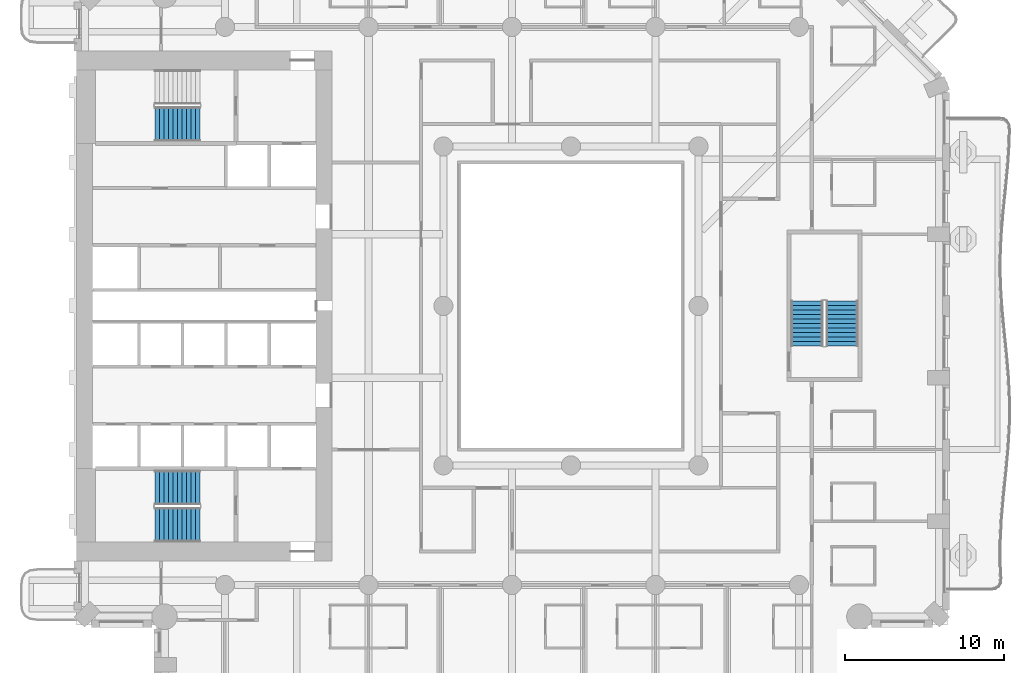
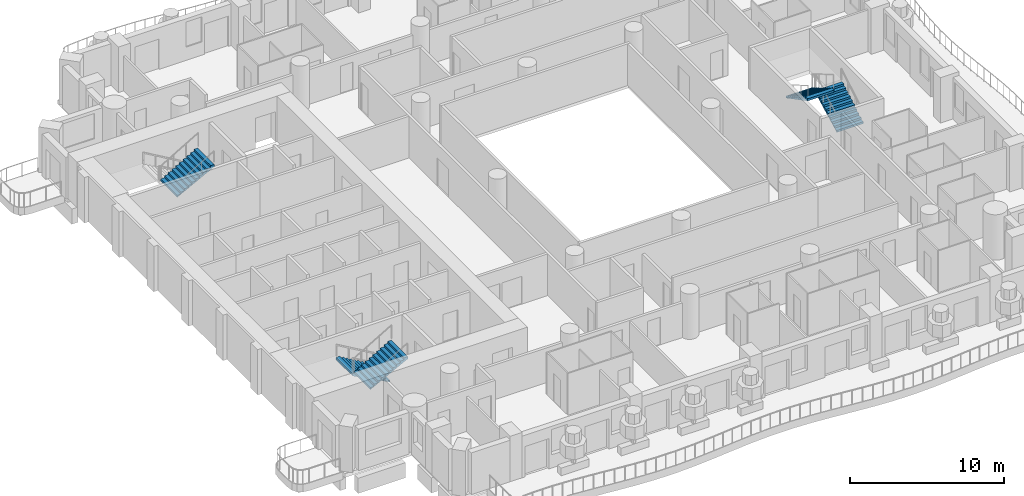
# One storey, part 11 of 20: 5 stair flights, 3 elements without a shape of their own.
"""IFC4 building model written with IfcOpenShell, lengths in metres."""

from ifc_helpers import new_model, si_unit, direction, frame, origin, place, context, subcontext, project, spatial, triangles, material, type_object, element, aggregate, save


model = new_model("IFC4")

# Units and contexts
model_context = context("Model", 3, precision=1e-05, world=origin(), true_north=direction((0.0, 1.0)))
body_context = subcontext(model_context, "Body", "Model", "MODEL_VIEW")
ifc_project = project(units=[si_unit("LENGTHUNIT", "METRE"), si_unit("AREAUNIT", "SQUARE_METRE"), si_unit("VOLUMEUNIT", "CUBIC_METRE"), si_unit("PLANEANGLEUNIT", "RADIAN"), si_unit("MASSUNIT", "GRAM", prefix="KILO")], contexts=[model_context])

# Site, building, storey
site_placement = place(None, origin())
site = spatial("IfcSite", under=ifc_project, at=site_placement, CompositionType="ELEMENT")
building_placement = place(site_placement, origin())
building = spatial("IfcBuilding", under=site, at=building_placement, Name="Cypress Arch Tower", CompositionType="ELEMENT")
storey_placement = place(building_placement, frame((0.0, 0.0, 62.699951171875)))
storey = spatial("IfcBuildingStorey", under=building, at=storey_placement, Name="L09", CompositionType="ELEMENT", Elevation=62.699951171875)

# Stair, stair flights
ifc_material_1 = material(Name="Concrete C40/50", Category="concrete")
stair_type_1 = type_object("IfcStairType", Name="Exit stair ES1636-200", PredefinedType="HALF_TURN_STAIR", material=ifc_material_1)
stair_1_placement = place(storey_placement, origin())
stair_1 = element("IfcStair", 1, at=stair_1_placement, inside=storey, type_object=stair_type_1, Name="L09 Exit stair C", PredefinedType="HALF_TURN_STAIR")
ifc_material_2 = material(Name="Concrete C40/50", Category="concrete")
stair_flight_type_1 = type_object("IfcStairFlightType", Name="Exit stair flight ES1636-200", PredefinedType="STRAIGHT", material=ifc_material_2)
stair_flight_1_placement = place(storey_placement, frame((18.0, -2.5, 0.0), z_axis=(0.0, 0.0, 1.0), x_axis=(0.0, 1.0, 0.0)))
stair_flight_1 = element("IfcStairFlight", 2, at=stair_flight_1_placement, type_object=stair_flight_type_1, Name="C flight 1", NumberOfRisers=11, NumberOfTreads=10, PredefinedType="STRAIGHT", RiserHeight=0.163636364, TreadLength=0.28, context=body_context, shape_type="Tessellation", body=[
    triangles([(0.0, -1.0, 0.0), (0.00048828125, -1.0, 0.054443359375), (0.00048828125, -1.0, 0.109130859375), (0.0, -1.0, 0.16357421875), (0.280029296875, -1.0, 0.16357421875), (0.280029296875, -1.0, 0.327392578125), (0.56005859375, -1.0, 0.327392578125), (0.56005859375, -1.0, 0.490966796875), (0.840087890625, -1.0, 0.490966796875), (0.840087890625, -1.0, 0.654541015625), (1.1201171875, -1.0, 0.654541015625), (1.1201171875, -1.0, 0.818115234375), (1.39990234375, -1.0, 0.818115234375), (1.39990234375, -1.0, 0.98193359375), (1.679931640625, -1.0, 0.98193359375), (1.679931640625, -1.0, 1.1455078125), (1.9599609375, -1.0, 1.1455078125), (1.9599609375, -1.0, 1.30908203125), (2.239990234375, -1.0, 1.30908203125), (2.239990234375, -1.0, 1.47265625), (2.52001953125, -1.0, 1.47265625), (2.52001953125, -1.0, 1.636474609375), (2.800048828125, -1.0, 1.636474609375), (2.799560546875, -1.0, 1.57861328125), (2.799560546875, -1.0, 1.5205078125), (2.800048828125, -1.0, 1.462646484375), (2.800048828125, 1.0, 1.462646484375), (2.799560546875, 1.0, 1.5205078125), (2.799560546875, 1.0, 1.57861328125), (2.800048828125, 1.0, 1.636474609375), (2.52001953125, 1.0, 1.636474609375), (2.52001953125, 1.0, 1.47265625), (2.239990234375, 1.0, 1.47265625), (2.239990234375, 1.0, 1.30908203125), (1.9599609375, 1.0, 1.30908203125), (1.9599609375, 1.0, 1.1455078125), (1.679931640625, 1.0, 1.1455078125), (1.679931640625, 1.0, 0.98193359375), (1.39990234375, 1.0, 0.98193359375), (1.39990234375, 1.0, 0.818115234375), (1.1201171875, 1.0, 0.818115234375), (1.1201171875, 1.0, 0.654541015625), (0.840087890625, 1.0, 0.654541015625), (0.840087890625, 1.0, 0.490966796875), (0.56005859375, 1.0, 0.490966796875), (0.56005859375, 1.0, 0.327392578125), (0.280029296875, 1.0, 0.327392578125), (0.280029296875, 1.0, 0.16357421875), (0.0, 1.0, 0.16357421875), (0.00048828125, 1.0, 0.109130859375), (0.00048828125, 1.0, 0.054443359375), (0.0, 1.0, 0.0), (2.799560546875, 0.0, 1.5205078125), (2.800048828125, 0.0, 1.462646484375), (2.799560546875, 0.0, 1.57861328125), (2.800048828125, 0.0, 1.636474609375), (2.52001953125, 0.0, 1.636474609375), (2.52001953125, 0.0, 1.47265625), (2.239990234375, 0.0, 1.47265625), (2.239990234375, 0.0, 1.30908203125), (1.9599609375, 0.0, 1.30908203125), (1.9599609375, 0.0, 1.1455078125), (1.679931640625, 0.0, 1.1455078125), (1.679931640625, 0.0, 0.98193359375), (1.39990234375, 0.0, 0.98193359375), (1.39990234375, 0.0, 0.818115234375), (1.1201171875, 0.0, 0.818115234375), (1.1201171875, 0.0, 0.654541015625), (0.840087890625, 0.0, 0.654541015625), (0.840087890625, 0.0, 0.490966796875), (0.56005859375, 0.0, 0.490966796875), (0.56005859375, 0.0, 0.327392578125), (0.280029296875, 0.0, 0.327392578125), (0.280029296875, 0.0, 0.16357421875), (0.0, 0.0, 0.16357421875), (0.00048828125, 0.0, 0.109130859375), (0.00048828125, 0.0, 0.054443359375), (0.0, 0.0, 0.0)], [[26, 25, 22], [25, 24, 22], [24, 23, 22], [15, 14, 13], [7, 6, 5], [13, 12, 11], [21, 20, 19], [19, 18, 17], [17, 16, 15], [11, 10, 9], [9, 8, 7], [4, 3, 5], [3, 2, 5], [2, 1, 5], [26, 22, 21], [26, 21, 19], [26, 19, 17], [26, 17, 15], [26, 15, 13], [26, 13, 11], [26, 11, 9], [26, 9, 7], [26, 7, 5], [26, 5, 1], [27, 31, 28], [28, 31, 29], [29, 31, 30], [38, 40, 39], [46, 48, 47], [40, 42, 41], [32, 34, 33], [34, 36, 35], [36, 38, 37], [42, 44, 43], [44, 46, 45], [49, 48, 50], [50, 48, 51], [51, 48, 52], [27, 32, 31], [27, 34, 32], [27, 36, 34], [27, 38, 36], [27, 40, 38], [27, 42, 40], [27, 44, 42], [27, 46, 44], [27, 48, 46], [27, 52, 48], [54, 53, 25], [54, 25, 26], [27, 28, 53], [27, 53, 54], [53, 55, 24], [53, 24, 25], [28, 29, 55], [28, 55, 53], [55, 56, 23], [55, 23, 24], [29, 30, 56], [29, 56, 55], [56, 57, 22], [56, 22, 23], [30, 31, 57], [30, 57, 56], [57, 58, 21], [57, 21, 22], [31, 32, 58], [31, 58, 57], [58, 59, 20], [58, 20, 21], [32, 33, 59], [32, 59, 58], [59, 60, 19], [59, 19, 20], [33, 34, 60], [33, 60, 59], [60, 61, 18], [60, 18, 19], [34, 35, 61], [34, 61, 60], [61, 62, 17], [61, 17, 18], [35, 36, 62], [35, 62, 61], [62, 63, 16], [62, 16, 17], [36, 37, 63], [36, 63, 62], [63, 64, 15], [63, 15, 16], [37, 38, 64], [37, 64, 63], [64, 65, 14], [64, 14, 15], [38, 39, 65], [38, 65, 64], [65, 66, 13], [65, 13, 14], [39, 40, 66], [39, 66, 65], [66, 67, 12], [66, 12, 13], [40, 41, 67], [40, 67, 66], [67, 68, 11], [67, 11, 12], [41, 42, 68], [41, 68, 67], [68, 69, 10], [68, 10, 11], [42, 43, 69], [42, 69, 68], [69, 70, 9], [69, 9, 10], [43, 44, 70], [43, 70, 69], [70, 71, 8], [70, 8, 9], [44, 45, 71], [44, 71, 70], [71, 72, 7], [71, 7, 8], [45, 46, 72], [45, 72, 71], [72, 73, 6], [72, 6, 7], [46, 47, 73], [46, 73, 72], [73, 74, 5], [73, 5, 6], [47, 48, 74], [47, 74, 73], [74, 75, 4], [74, 4, 5], [48, 49, 75], [48, 75, 74], [75, 76, 3], [75, 3, 4], [49, 50, 76], [49, 76, 75], [76, 77, 2], [76, 2, 3], [50, 51, 77], [50, 77, 76], [77, 78, 1], [77, 1, 2], [51, 52, 78], [51, 78, 77], [78, 54, 26], [78, 26, 1], [52, 27, 54], [52, 54, 78]], closed=True),
])
stair_flight_2_placement = place(storey_placement, frame((15.800048828125, 0.300048828125, 1.800048828125), z_axis=(0.0, 0.0, 1.0), x_axis=(0.0, -1.0, 0.0)))
stair_flight_2 = element("IfcStairFlight", 3, at=stair_flight_2_placement, type_object=stair_flight_type_1, Name="C flight 2", NumberOfRisers=11, NumberOfTreads=10, PredefinedType="STRAIGHT", RiserHeight=0.163636364, TreadLength=0.28, context=body_context, shape_type="Tessellation", body=[
    triangles([(0.0, -1.0, 0.0), (0.00048828125, -1.0, 0.054443359375), (0.00048828125, -1.0, 0.109130859375), (0.0, -1.0, 0.16357421875), (0.280029296875, -1.0, 0.16357421875), (0.280029296875, -1.0, 0.327392578125), (0.56005859375, -1.0, 0.327392578125), (0.56005859375, -1.0, 0.490966796875), (0.840087890625, -1.0, 0.490966796875), (0.840087890625, -1.0, 0.654541015625), (1.1201171875, -1.0, 0.654541015625), (1.1201171875, -1.0, 0.818115234375), (1.39990234375, -1.0, 0.818115234375), (1.39990234375, -1.0, 0.98193359375), (1.679931640625, -1.0, 0.98193359375), (1.679931640625, -1.0, 1.1455078125), (1.9599609375, -1.0, 1.1455078125), (1.9599609375, -1.0, 1.30908203125), (2.239990234375, -1.0, 1.30908203125), (2.239990234375, -1.0, 1.47265625), (2.52001953125, -1.0, 1.47265625), (2.52001953125, -1.0, 1.636474609375), (2.800048828125, -1.0, 1.636474609375), (2.799560546875, -1.0, 1.57861328125), (2.799560546875, -1.0, 1.5205078125), (2.800048828125, -1.0, 1.462646484375), (2.800048828125, 1.0, 1.462646484375), (2.799560546875, 1.0, 1.5205078125), (2.799560546875, 1.0, 1.57861328125), (2.800048828125, 1.0, 1.636474609375), (2.52001953125, 1.0, 1.636474609375), (2.52001953125, 1.0, 1.47265625), (2.239990234375, 1.0, 1.47265625), (2.239990234375, 1.0, 1.30908203125), (1.9599609375, 1.0, 1.30908203125), (1.9599609375, 1.0, 1.1455078125), (1.679931640625, 1.0, 1.1455078125), (1.679931640625, 1.0, 0.98193359375), (1.39990234375, 1.0, 0.98193359375), (1.39990234375, 1.0, 0.818115234375), (1.1201171875, 1.0, 0.818115234375), (1.1201171875, 1.0, 0.654541015625), (0.840087890625, 1.0, 0.654541015625), (0.840087890625, 1.0, 0.490966796875), (0.56005859375, 1.0, 0.490966796875), (0.56005859375, 1.0, 0.327392578125), (0.280029296875, 1.0, 0.327392578125), (0.280029296875, 1.0, 0.16357421875), (0.0, 1.0, 0.16357421875), (0.00048828125, 1.0, 0.109130859375), (0.00048828125, 1.0, 0.054443359375), (0.0, 1.0, 0.0), (2.799560546875, 0.0, 1.5205078125), (2.800048828125, 0.0, 1.462646484375), (2.799560546875, 0.0, 1.57861328125), (2.800048828125, 0.0, 1.636474609375), (2.52001953125, 0.0, 1.636474609375), (2.52001953125, 0.0, 1.47265625), (2.239990234375, 0.0, 1.47265625), (2.239990234375, 0.0, 1.30908203125), (1.9599609375, 0.0, 1.30908203125), (1.9599609375, 0.0, 1.1455078125), (1.679931640625, 0.0, 1.1455078125), (1.679931640625, 0.0, 0.98193359375), (1.39990234375, 0.0, 0.98193359375), (1.39990234375, 0.0, 0.818115234375), (1.1201171875, 0.0, 0.818115234375), (1.1201171875, 0.0, 0.654541015625), (0.840087890625, 0.0, 0.654541015625), (0.840087890625, 0.0, 0.490966796875), (0.56005859375, 0.0, 0.490966796875), (0.56005859375, 0.0, 0.327392578125), (0.280029296875, 0.0, 0.327392578125), (0.280029296875, 0.0, 0.16357421875), (0.0, 0.0, 0.16357421875), (0.00048828125, 0.0, 0.109130859375), (0.00048828125, 0.0, 0.054443359375), (0.0, 0.0, 0.0)], [[26, 25, 22], [25, 24, 22], [24, 23, 22], [15, 14, 13], [7, 6, 5], [13, 12, 11], [21, 20, 19], [19, 18, 17], [17, 16, 15], [11, 10, 9], [9, 8, 7], [4, 3, 5], [3, 2, 5], [2, 1, 5], [26, 22, 21], [26, 21, 19], [26, 19, 17], [26, 17, 15], [26, 15, 13], [26, 13, 11], [26, 11, 9], [26, 9, 7], [26, 7, 5], [26, 5, 1], [27, 31, 28], [28, 31, 29], [29, 31, 30], [38, 40, 39], [46, 48, 47], [40, 42, 41], [32, 34, 33], [34, 36, 35], [36, 38, 37], [42, 44, 43], [44, 46, 45], [49, 48, 50], [50, 48, 51], [51, 48, 52], [27, 32, 31], [27, 34, 32], [27, 36, 34], [27, 38, 36], [27, 40, 38], [27, 42, 40], [27, 44, 42], [27, 46, 44], [27, 48, 46], [27, 52, 48], [54, 53, 25], [54, 25, 26], [27, 28, 53], [27, 53, 54], [53, 55, 24], [53, 24, 25], [28, 29, 55], [28, 55, 53], [55, 56, 23], [55, 23, 24], [29, 30, 56], [29, 56, 55], [56, 57, 22], [56, 22, 23], [30, 31, 57], [30, 57, 56], [57, 58, 21], [57, 21, 22], [31, 32, 58], [31, 58, 57], [58, 59, 20], [58, 20, 21], [32, 33, 59], [32, 59, 58], [59, 60, 19], [59, 19, 20], [33, 34, 60], [33, 60, 59], [60, 61, 18], [60, 18, 19], [34, 35, 61], [34, 61, 60], [61, 62, 17], [61, 17, 18], [35, 36, 62], [35, 62, 61], [62, 63, 16], [62, 16, 17], [36, 37, 63], [36, 63, 62], [63, 64, 15], [63, 15, 16], [37, 38, 64], [37, 64, 63], [64, 65, 14], [64, 14, 15], [38, 39, 65], [38, 65, 64], [65, 66, 13], [65, 13, 14], [39, 40, 66], [39, 66, 65], [66, 67, 12], [66, 12, 13], [40, 41, 67], [40, 67, 66], [67, 68, 11], [67, 11, 12], [41, 42, 68], [41, 68, 67], [68, 69, 10], [68, 10, 11], [42, 43, 69], [42, 69, 68], [69, 70, 9], [69, 9, 10], [43, 44, 70], [43, 70, 69], [70, 71, 8], [70, 8, 9], [44, 45, 71], [44, 71, 70], [71, 72, 7], [71, 7, 8], [45, 46, 72], [45, 72, 71], [72, 73, 6], [72, 6, 7], [46, 47, 73], [46, 73, 72], [73, 74, 5], [73, 5, 6], [47, 48, 74], [47, 74, 73], [74, 75, 4], [74, 4, 5], [48, 49, 75], [48, 75, 74], [75, 76, 3], [75, 3, 4], [49, 50, 76], [49, 76, 75], [76, 77, 2], [76, 2, 3], [50, 51, 77], [50, 77, 76], [77, 78, 1], [77, 1, 2], [51, 52, 78], [51, 78, 77], [78, 54, 26], [78, 26, 1], [52, 27, 54], [52, 54, 78]], closed=True),
])
aggregate(stair_1, [stair_flight_1, stair_flight_2])

ifc_material_3 = material(Name="Concrete C40/50", Category="concrete")
stair_type_2 = type_object("IfcStairType", Name="Exit stair ES1636-215", PredefinedType="HALF_TURN_STAIR", material=ifc_material_3)
stair_2_placement = place(storey_placement, origin())
stair_2 = element("IfcStair", 4, at=stair_2_placement, inside=storey, type_object=stair_type_2, Name="L09 Exit stair A", PredefinedType="HALF_TURN_STAIR")
ifc_material_4 = material(Name="Concrete C40/50", Category="concrete")
stair_flight_type_2 = type_object("IfcStairFlightType", Name="Exit stair flight ES1636-215", PredefinedType="STRAIGHT", material=ifc_material_4)
stair_flight_3_placement = place(storey_placement, frame((-22.27490234375, -11.39990234375, 0.0), z_axis=(0.0, 0.0, 1.0), x_axis=(-1.0, 0.0, 0.0)))
stair_flight_3 = element("IfcStairFlight", 5, at=stair_flight_3_placement, type_object=stair_flight_type_2, Name="A flight 1", NumberOfRisers=11, NumberOfTreads=10, PredefinedType="STRAIGHT", RiserHeight=0.163636364, TreadLength=0.28, context=body_context, shape_type="Tessellation", body=[
    triangles([(0.0, -1.074951171875, 0.0), (0.000244140625, -1.074951171875, 0.03271484375), (0.00048828125, -1.074951171875, 0.0654296875), (0.00048828125, -1.074951171875, 0.09814453125), (0.000244140625, -1.074951171875, 0.130859375), (0.0, -1.074951171875, 0.16357421875), (0.280029296875, -1.074951171875, 0.16357421875), (0.280029296875, -1.074951171875, 0.327392578125), (0.56005859375, -1.074951171875, 0.327392578125), (0.56005859375, -1.074951171875, 0.490966796875), (0.840087890625, -1.074951171875, 0.490966796875), (0.840087890625, -1.074951171875, 0.654541015625), (1.1201171875, -1.074951171875, 0.654541015625), (1.1201171875, -1.074951171875, 0.818115234375), (1.39990234375, -1.074951171875, 0.818115234375), (1.39990234375, -1.074951171875, 0.98193359375), (1.679931640625, -1.074951171875, 0.98193359375), (1.679931640625, -1.074951171875, 1.1455078125), (1.9599609375, -1.074951171875, 1.1455078125), (1.9599609375, -1.074951171875, 1.30908203125), (2.239990234375, -1.074951171875, 1.30908203125), (2.239990234375, -1.074951171875, 1.47265625), (2.52001953125, -1.074951171875, 1.47265625), (2.52001953125, -1.074951171875, 1.636474609375), (2.800048828125, -1.074951171875, 1.636474609375), (2.7998046875, -1.074951171875, 1.601806640625), (2.799560546875, -1.074951171875, 1.56689453125), (2.799560546875, -1.074951171875, 1.5322265625), (2.7998046875, -1.074951171875, 1.497314453125), (2.800048828125, -1.074951171875, 1.462646484375), (2.800048828125, 1.074951171875, 1.462646484375), (2.7998046875, 1.074951171875, 1.497314453125), (2.799560546875, 1.074951171875, 1.5322265625), (2.799560546875, 1.074951171875, 1.56689453125), (2.7998046875, 1.074951171875, 1.601806640625), (2.800048828125, 1.074951171875, 1.636474609375), (2.52001953125, 1.074951171875, 1.636474609375), (2.52001953125, 1.074951171875, 1.47265625), (2.239990234375, 1.074951171875, 1.47265625), (2.239990234375, 1.074951171875, 1.30908203125), (1.9599609375, 1.074951171875, 1.30908203125), (1.9599609375, 1.074951171875, 1.1455078125), (1.679931640625, 1.074951171875, 1.1455078125), (1.679931640625, 1.074951171875, 0.98193359375), (1.39990234375, 1.074951171875, 0.98193359375), (1.39990234375, 1.074951171875, 0.818115234375), (1.1201171875, 1.074951171875, 0.818115234375), (1.1201171875, 1.074951171875, 0.654541015625), (0.840087890625, 1.074951171875, 0.654541015625), (0.840087890625, 1.074951171875, 0.490966796875), (0.56005859375, 1.074951171875, 0.490966796875), (0.56005859375, 1.074951171875, 0.327392578125), (0.280029296875, 1.074951171875, 0.327392578125), (0.280029296875, 1.074951171875, 0.16357421875), (0.0, 1.074951171875, 0.16357421875), (0.000244140625, 1.074951171875, 0.130859375), (0.00048828125, 1.074951171875, 0.09814453125), (0.00048828125, 1.074951171875, 0.0654296875), (0.000244140625, 1.074951171875, 0.03271484375), (0.0, 1.074951171875, 0.0), (2.7998046875, 0.0, 1.497314453125), (2.800048828125, 0.0, 1.462646484375), (2.799560546875, 0.0, 1.5322265625), (2.799560546875, 0.0, 1.56689453125), (2.7998046875, 0.0, 1.601806640625), (2.800048828125, 0.0, 1.636474609375), (2.52001953125, 0.0, 1.636474609375), (2.52001953125, 0.0, 1.47265625), (2.239990234375, 0.0, 1.47265625), (2.239990234375, 0.0, 1.30908203125), (1.9599609375, 0.0, 1.30908203125), (1.9599609375, 0.0, 1.1455078125), (1.679931640625, 0.0, 1.1455078125), (1.679931640625, 0.0, 0.98193359375), (1.39990234375, 0.0, 0.98193359375), (1.39990234375, 0.0, 0.818115234375), (1.1201171875, 0.0, 0.818115234375), (1.1201171875, 0.0, 0.654541015625), (0.840087890625, 0.0, 0.654541015625), (0.840087890625, 0.0, 0.490966796875), (0.56005859375, 0.0, 0.490966796875), (0.56005859375, 0.0, 0.327392578125), (0.280029296875, 0.0, 0.327392578125), (0.280029296875, 0.0, 0.16357421875), (0.0, 0.0, 0.16357421875), (0.000244140625, 0.0, 0.130859375), (0.00048828125, 0.0, 0.09814453125), (0.00048828125, 0.0, 0.0654296875), (0.000244140625, 0.0, 0.03271484375), (0.0, 0.0, 0.0)], [[30, 29, 24], [29, 28, 24], [28, 27, 24], [27, 26, 24], [26, 25, 24], [17, 16, 15], [9, 8, 7], [15, 14, 13], [23, 22, 21], [21, 20, 19], [19, 18, 17], [13, 12, 11], [11, 10, 9], [6, 5, 7], [5, 4, 7], [4, 3, 7], [3, 2, 7], [2, 1, 7], [30, 24, 23], [30, 23, 21], [30, 21, 19], [30, 19, 17], [30, 17, 15], [30, 15, 13], [30, 13, 11], [30, 11, 9], [30, 9, 7], [30, 7, 1], [31, 37, 32], [32, 37, 33], [33, 37, 34], [34, 37, 35], [35, 37, 36], [44, 46, 45], [52, 54, 53], [46, 48, 47], [38, 40, 39], [40, 42, 41], [42, 44, 43], [48, 50, 49], [50, 52, 51], [55, 54, 56], [56, 54, 57], [57, 54, 58], [58, 54, 59], [59, 54, 60], [31, 38, 37], [31, 40, 38], [31, 42, 40], [31, 44, 42], [31, 46, 44], [31, 48, 46], [31, 50, 48], [31, 52, 50], [31, 54, 52], [31, 60, 54], [62, 61, 29], [62, 29, 30], [31, 32, 61], [31, 61, 62], [61, 63, 28], [61, 28, 29], [32, 33, 63], [32, 63, 61], [63, 64, 27], [63, 27, 28], [33, 34, 64], [33, 64, 63], [64, 65, 26], [64, 26, 27], [34, 35, 65], [34, 65, 64], [65, 66, 25], [65, 25, 26], [35, 36, 66], [35, 66, 65], [66, 67, 24], [66, 24, 25], [36, 37, 67], [36, 67, 66], [67, 68, 23], [67, 23, 24], [37, 38, 68], [37, 68, 67], [68, 69, 22], [68, 22, 23], [38, 39, 69], [38, 69, 68], [69, 70, 21], [69, 21, 22], [39, 40, 70], [39, 70, 69], [70, 71, 20], [70, 20, 21], [40, 41, 71], [40, 71, 70], [71, 72, 19], [71, 19, 20], [41, 42, 72], [41, 72, 71], [72, 73, 18], [72, 18, 19], [42, 43, 73], [42, 73, 72], [73, 74, 17], [73, 17, 18], [43, 44, 74], [43, 74, 73], [74, 75, 16], [74, 16, 17], [44, 45, 75], [44, 75, 74], [75, 76, 15], [75, 15, 16], [45, 46, 76], [45, 76, 75], [76, 77, 14], [76, 14, 15], [46, 47, 77], [46, 77, 76], [77, 78, 13], [77, 13, 14], [47, 48, 78], [47, 78, 77], [78, 79, 12], [78, 12, 13], [48, 49, 79], [48, 79, 78], [79, 80, 11], [79, 11, 12], [49, 50, 80], [49, 80, 79], [80, 81, 10], [80, 10, 11], [50, 51, 81], [50, 81, 80], [81, 82, 9], [81, 9, 10], [51, 52, 82], [51, 82, 81], [82, 83, 8], [82, 8, 9], [52, 53, 83], [52, 83, 82], [83, 84, 7], [83, 7, 8], [53, 54, 84], [53, 84, 83], [84, 85, 6], [84, 6, 7], [54, 55, 85], [54, 85, 84], [85, 86, 5], [85, 5, 6], [55, 56, 86], [55, 86, 85], [86, 87, 4], [86, 4, 5], [56, 57, 87], [56, 87, 86], [87, 88, 3], [87, 3, 4], [57, 58, 88], [57, 88, 87], [88, 89, 2], [88, 2, 3], [58, 59, 89], [58, 89, 88], [89, 90, 1], [89, 1, 2], [59, 60, 90], [59, 90, 89], [90, 62, 30], [90, 30, 1], [60, 31, 62], [60, 62, 90]], closed=True),
])
stair_flight_4_placement = place(storey_placement, frame((-25.074951171875, -13.72509765625, 1.800048828125), z_axis=(0.0, 0.0, 1.0), x_axis=(1.0, 0.0, 0.0)))
stair_flight_4 = element("IfcStairFlight", 6, at=stair_flight_4_placement, type_object=stair_flight_type_2, Name="A flight 2", NumberOfRisers=11, NumberOfTreads=10, PredefinedType="STRAIGHT", RiserHeight=0.163636364, TreadLength=0.28, context=body_context, shape_type="Tessellation", body=[
    triangles([(0.0, -1.074951171875, 0.0), (0.000244140625, -1.074951171875, 0.03271484375), (0.00048828125, -1.074951171875, 0.0654296875), (0.00048828125, -1.074951171875, 0.09814453125), (0.000244140625, -1.074951171875, 0.130859375), (0.0, -1.074951171875, 0.16357421875), (0.280029296875, -1.074951171875, 0.16357421875), (0.280029296875, -1.074951171875, 0.327392578125), (0.56005859375, -1.074951171875, 0.327392578125), (0.56005859375, -1.074951171875, 0.490966796875), (0.840087890625, -1.074951171875, 0.490966796875), (0.840087890625, -1.074951171875, 0.654541015625), (1.1201171875, -1.074951171875, 0.654541015625), (1.1201171875, -1.074951171875, 0.818115234375), (1.39990234375, -1.074951171875, 0.818115234375), (1.39990234375, -1.074951171875, 0.98193359375), (1.679931640625, -1.074951171875, 0.98193359375), (1.679931640625, -1.074951171875, 1.1455078125), (1.9599609375, -1.074951171875, 1.1455078125), (1.9599609375, -1.074951171875, 1.30908203125), (2.239990234375, -1.074951171875, 1.30908203125), (2.239990234375, -1.074951171875, 1.47265625), (2.52001953125, -1.074951171875, 1.47265625), (2.52001953125, -1.074951171875, 1.636474609375), (2.800048828125, -1.074951171875, 1.636474609375), (2.7998046875, -1.074951171875, 1.601806640625), (2.799560546875, -1.074951171875, 1.56689453125), (2.799560546875, -1.074951171875, 1.5322265625), (2.7998046875, -1.074951171875, 1.497314453125), (2.800048828125, -1.074951171875, 1.462646484375), (2.800048828125, 1.074951171875, 1.462646484375), (2.7998046875, 1.074951171875, 1.497314453125), (2.799560546875, 1.074951171875, 1.5322265625), (2.799560546875, 1.074951171875, 1.56689453125), (2.7998046875, 1.074951171875, 1.601806640625), (2.800048828125, 1.074951171875, 1.636474609375), (2.52001953125, 1.074951171875, 1.636474609375), (2.52001953125, 1.074951171875, 1.47265625), (2.239990234375, 1.074951171875, 1.47265625), (2.239990234375, 1.074951171875, 1.30908203125), (1.9599609375, 1.074951171875, 1.30908203125), (1.9599609375, 1.074951171875, 1.1455078125), (1.679931640625, 1.074951171875, 1.1455078125), (1.679931640625, 1.074951171875, 0.98193359375), (1.39990234375, 1.074951171875, 0.98193359375), (1.39990234375, 1.074951171875, 0.818115234375), (1.1201171875, 1.074951171875, 0.818115234375), (1.1201171875, 1.074951171875, 0.654541015625), (0.840087890625, 1.074951171875, 0.654541015625), (0.840087890625, 1.074951171875, 0.490966796875), (0.56005859375, 1.074951171875, 0.490966796875), (0.56005859375, 1.074951171875, 0.327392578125), (0.280029296875, 1.074951171875, 0.327392578125), (0.280029296875, 1.074951171875, 0.16357421875), (0.0, 1.074951171875, 0.16357421875), (0.000244140625, 1.074951171875, 0.130859375), (0.00048828125, 1.074951171875, 0.09814453125), (0.00048828125, 1.074951171875, 0.0654296875), (0.000244140625, 1.074951171875, 0.03271484375), (0.0, 1.074951171875, 0.0), (2.7998046875, 0.0, 1.497314453125), (2.800048828125, 0.0, 1.462646484375), (2.799560546875, 0.0, 1.5322265625), (2.799560546875, 0.0, 1.56689453125), (2.7998046875, 0.0, 1.601806640625), (2.800048828125, 0.0, 1.636474609375), (2.52001953125, 0.0, 1.636474609375), (2.52001953125, 0.0, 1.47265625), (2.239990234375, 0.0, 1.47265625), (2.239990234375, 0.0, 1.30908203125), (1.9599609375, 0.0, 1.30908203125), (1.9599609375, 0.0, 1.1455078125), (1.679931640625, 0.0, 1.1455078125), (1.679931640625, 0.0, 0.98193359375), (1.39990234375, 0.0, 0.98193359375), (1.39990234375, 0.0, 0.818115234375), (1.1201171875, 0.0, 0.818115234375), (1.1201171875, 0.0, 0.654541015625), (0.840087890625, 0.0, 0.654541015625), (0.840087890625, 0.0, 0.490966796875), (0.56005859375, 0.0, 0.490966796875), (0.56005859375, 0.0, 0.327392578125), (0.280029296875, 0.0, 0.327392578125), (0.280029296875, 0.0, 0.16357421875), (0.0, 0.0, 0.16357421875), (0.000244140625, 0.0, 0.130859375), (0.00048828125, 0.0, 0.09814453125), (0.00048828125, 0.0, 0.0654296875), (0.000244140625, 0.0, 0.03271484375), (0.0, 0.0, 0.0)], [[30, 29, 24], [29, 28, 24], [28, 27, 24], [27, 26, 24], [26, 25, 24], [17, 16, 15], [9, 8, 7], [15, 14, 13], [23, 22, 21], [21, 20, 19], [19, 18, 17], [13, 12, 11], [11, 10, 9], [6, 5, 7], [5, 4, 7], [4, 3, 7], [3, 2, 7], [2, 1, 7], [30, 24, 23], [30, 23, 21], [30, 21, 19], [30, 19, 17], [30, 17, 15], [30, 15, 13], [30, 13, 11], [30, 11, 9], [30, 9, 7], [30, 7, 1], [31, 37, 32], [32, 37, 33], [33, 37, 34], [34, 37, 35], [35, 37, 36], [44, 46, 45], [52, 54, 53], [46, 48, 47], [38, 40, 39], [40, 42, 41], [42, 44, 43], [48, 50, 49], [50, 52, 51], [55, 54, 56], [56, 54, 57], [57, 54, 58], [58, 54, 59], [59, 54, 60], [31, 38, 37], [31, 40, 38], [31, 42, 40], [31, 44, 42], [31, 46, 44], [31, 48, 46], [31, 50, 48], [31, 52, 50], [31, 54, 52], [31, 60, 54], [62, 61, 29], [62, 29, 30], [31, 32, 61], [31, 61, 62], [61, 63, 28], [61, 28, 29], [32, 33, 63], [32, 63, 61], [63, 64, 27], [63, 27, 28], [33, 34, 64], [33, 64, 63], [64, 65, 26], [64, 26, 27], [34, 35, 65], [34, 65, 64], [65, 66, 25], [65, 25, 26], [35, 36, 66], [35, 66, 65], [66, 67, 24], [66, 24, 25], [36, 37, 67], [36, 67, 66], [67, 68, 23], [67, 23, 24], [37, 38, 68], [37, 68, 67], [68, 69, 22], [68, 22, 23], [38, 39, 69], [38, 69, 68], [69, 70, 21], [69, 21, 22], [39, 40, 70], [39, 70, 69], [70, 71, 20], [70, 20, 21], [40, 41, 71], [40, 71, 70], [71, 72, 19], [71, 19, 20], [41, 42, 72], [41, 72, 71], [72, 73, 18], [72, 18, 19], [42, 43, 73], [42, 73, 72], [73, 74, 17], [73, 17, 18], [43, 44, 74], [43, 74, 73], [74, 75, 16], [74, 16, 17], [44, 45, 75], [44, 75, 74], [75, 76, 15], [75, 15, 16], [45, 46, 76], [45, 76, 75], [76, 77, 14], [76, 14, 15], [46, 47, 77], [46, 77, 76], [77, 78, 13], [77, 13, 14], [47, 48, 78], [47, 78, 77], [78, 79, 12], [78, 12, 13], [48, 49, 79], [48, 79, 78], [79, 80, 11], [79, 11, 12], [49, 50, 80], [49, 80, 79], [80, 81, 10], [80, 10, 11], [50, 51, 81], [50, 81, 80], [81, 82, 9], [81, 9, 10], [51, 52, 82], [51, 82, 81], [82, 83, 8], [82, 8, 9], [52, 53, 83], [52, 83, 82], [83, 84, 7], [83, 7, 8], [53, 54, 84], [53, 84, 83], [84, 85, 6], [84, 6, 7], [54, 55, 85], [54, 85, 84], [85, 86, 5], [85, 5, 6], [55, 56, 86], [55, 86, 85], [86, 87, 4], [86, 4, 5], [56, 57, 87], [56, 87, 86], [87, 88, 3], [87, 3, 4], [57, 58, 88], [57, 88, 87], [88, 89, 2], [88, 2, 3], [58, 59, 89], [58, 89, 88], [89, 90, 1], [89, 1, 2], [59, 60, 90], [59, 90, 89], [90, 62, 30], [90, 30, 1], [60, 31, 62], [60, 62, 90]], closed=True),
])
aggregate(stair_2, [stair_flight_3, stair_flight_4])

# Stair, stair flight
stair_3_placement = place(storey_placement, origin())
stair_3 = element("IfcStair", 7, at=stair_3_placement, inside=storey, type_object=stair_type_2, Name="L09 Exit stair B", PredefinedType="HALF_TURN_STAIR")
stair_flight_5_placement = place(storey_placement, frame((-25.074951171875, 11.39990234375, 1.800048828125), z_axis=(0.0, 0.0, 1.0), x_axis=(1.0, 0.0, 0.0)))
stair_flight_5 = element("IfcStairFlight", 8, at=stair_flight_5_placement, type_object=stair_flight_type_2, Name="B flight 2", NumberOfRisers=11, NumberOfTreads=10, PredefinedType="STRAIGHT", RiserHeight=0.163636364, TreadLength=0.28, context=body_context, shape_type="Tessellation", body=[
    triangles([(0.0, -1.074951171875, 0.0), (0.000244140625, -1.074951171875, 0.03271484375), (0.00048828125, -1.074951171875, 0.0654296875), (0.00048828125, -1.074951171875, 0.09814453125), (0.000244140625, -1.074951171875, 0.130859375), (0.0, -1.074951171875, 0.16357421875), (0.280029296875, -1.074951171875, 0.16357421875), (0.280029296875, -1.074951171875, 0.327392578125), (0.56005859375, -1.074951171875, 0.327392578125), (0.56005859375, -1.074951171875, 0.490966796875), (0.840087890625, -1.074951171875, 0.490966796875), (0.840087890625, -1.074951171875, 0.654541015625), (1.1201171875, -1.074951171875, 0.654541015625), (1.1201171875, -1.074951171875, 0.818115234375), (1.39990234375, -1.074951171875, 0.818115234375), (1.39990234375, -1.074951171875, 0.98193359375), (1.679931640625, -1.074951171875, 0.98193359375), (1.679931640625, -1.074951171875, 1.1455078125), (1.9599609375, -1.074951171875, 1.1455078125), (1.9599609375, -1.074951171875, 1.30908203125), (2.239990234375, -1.074951171875, 1.30908203125), (2.239990234375, -1.074951171875, 1.47265625), (2.52001953125, -1.074951171875, 1.47265625), (2.52001953125, -1.074951171875, 1.636474609375), (2.800048828125, -1.074951171875, 1.636474609375), (2.7998046875, -1.074951171875, 1.601806640625), (2.799560546875, -1.074951171875, 1.56689453125), (2.799560546875, -1.074951171875, 1.5322265625), (2.7998046875, -1.074951171875, 1.497314453125), (2.800048828125, -1.074951171875, 1.462646484375), (2.800048828125, 1.074951171875, 1.462646484375), (2.7998046875, 1.074951171875, 1.497314453125), (2.799560546875, 1.074951171875, 1.5322265625), (2.799560546875, 1.074951171875, 1.56689453125), (2.7998046875, 1.074951171875, 1.601806640625), (2.800048828125, 1.074951171875, 1.636474609375), (2.52001953125, 1.074951171875, 1.636474609375), (2.52001953125, 1.074951171875, 1.47265625), (2.239990234375, 1.074951171875, 1.47265625), (2.239990234375, 1.074951171875, 1.30908203125), (1.9599609375, 1.074951171875, 1.30908203125), (1.9599609375, 1.074951171875, 1.1455078125), (1.679931640625, 1.074951171875, 1.1455078125), (1.679931640625, 1.074951171875, 0.98193359375), (1.39990234375, 1.074951171875, 0.98193359375), (1.39990234375, 1.074951171875, 0.818115234375), (1.1201171875, 1.074951171875, 0.818115234375), (1.1201171875, 1.074951171875, 0.654541015625), (0.840087890625, 1.074951171875, 0.654541015625), (0.840087890625, 1.074951171875, 0.490966796875), (0.56005859375, 1.074951171875, 0.490966796875), (0.56005859375, 1.074951171875, 0.327392578125), (0.280029296875, 1.074951171875, 0.327392578125), (0.280029296875, 1.074951171875, 0.16357421875), (0.0, 1.074951171875, 0.16357421875), (0.000244140625, 1.074951171875, 0.130859375), (0.00048828125, 1.074951171875, 0.09814453125), (0.00048828125, 1.074951171875, 0.0654296875), (0.000244140625, 1.074951171875, 0.03271484375), (0.0, 1.074951171875, 0.0), (2.7998046875, 0.0, 1.497314453125), (2.800048828125, 0.0, 1.462646484375), (2.799560546875, 0.0, 1.5322265625), (2.799560546875, 0.0, 1.56689453125), (2.7998046875, 0.0, 1.601806640625), (2.800048828125, 0.0, 1.636474609375), (2.52001953125, 0.0, 1.636474609375), (2.52001953125, 0.0, 1.47265625), (2.239990234375, 0.0, 1.47265625), (2.239990234375, 0.0, 1.30908203125), (1.9599609375, 0.0, 1.30908203125), (1.9599609375, 0.0, 1.1455078125), (1.679931640625, 0.0, 1.1455078125), (1.679931640625, 0.0, 0.98193359375), (1.39990234375, 0.0, 0.98193359375), (1.39990234375, 0.0, 0.818115234375), (1.1201171875, 0.0, 0.818115234375), (1.1201171875, 0.0, 0.654541015625), (0.840087890625, 0.0, 0.654541015625), (0.840087890625, 0.0, 0.490966796875), (0.56005859375, 0.0, 0.490966796875), (0.56005859375, 0.0, 0.327392578125), (0.280029296875, 0.0, 0.327392578125), (0.280029296875, 0.0, 0.16357421875), (0.0, 0.0, 0.16357421875), (0.000244140625, 0.0, 0.130859375), (0.00048828125, 0.0, 0.09814453125), (0.00048828125, 0.0, 0.0654296875), (0.000244140625, 0.0, 0.03271484375), (0.0, 0.0, 0.0)], [[30, 29, 24], [29, 28, 24], [28, 27, 24], [27, 26, 24], [26, 25, 24], [17, 16, 15], [9, 8, 7], [15, 14, 13], [23, 22, 21], [21, 20, 19], [19, 18, 17], [13, 12, 11], [11, 10, 9], [6, 5, 7], [5, 4, 7], [4, 3, 7], [3, 2, 7], [2, 1, 7], [30, 24, 23], [30, 23, 21], [30, 21, 19], [30, 19, 17], [30, 17, 15], [30, 15, 13], [30, 13, 11], [30, 11, 9], [30, 9, 7], [30, 7, 1], [31, 37, 32], [32, 37, 33], [33, 37, 34], [34, 37, 35], [35, 37, 36], [44, 46, 45], [52, 54, 53], [46, 48, 47], [38, 40, 39], [40, 42, 41], [42, 44, 43], [48, 50, 49], [50, 52, 51], [55, 54, 56], [56, 54, 57], [57, 54, 58], [58, 54, 59], [59, 54, 60], [31, 38, 37], [31, 40, 38], [31, 42, 40], [31, 44, 42], [31, 46, 44], [31, 48, 46], [31, 50, 48], [31, 52, 50], [31, 54, 52], [31, 60, 54], [62, 61, 29], [62, 29, 30], [31, 32, 61], [31, 61, 62], [61, 63, 28], [61, 28, 29], [32, 33, 63], [32, 63, 61], [63, 64, 27], [63, 27, 28], [33, 34, 64], [33, 64, 63], [64, 65, 26], [64, 26, 27], [34, 35, 65], [34, 65, 64], [65, 66, 25], [65, 25, 26], [35, 36, 66], [35, 66, 65], [66, 67, 24], [66, 24, 25], [36, 37, 67], [36, 67, 66], [67, 68, 23], [67, 23, 24], [37, 38, 68], [37, 68, 67], [68, 69, 22], [68, 22, 23], [38, 39, 69], [38, 69, 68], [69, 70, 21], [69, 21, 22], [39, 40, 70], [39, 70, 69], [70, 71, 20], [70, 20, 21], [40, 41, 71], [40, 71, 70], [71, 72, 19], [71, 19, 20], [41, 42, 72], [41, 72, 71], [72, 73, 18], [72, 18, 19], [42, 43, 73], [42, 73, 72], [73, 74, 17], [73, 17, 18], [43, 44, 74], [43, 74, 73], [74, 75, 16], [74, 16, 17], [44, 45, 75], [44, 75, 74], [75, 76, 15], [75, 15, 16], [45, 46, 76], [45, 76, 75], [76, 77, 14], [76, 14, 15], [46, 47, 77], [46, 77, 76], [77, 78, 13], [77, 13, 14], [47, 48, 78], [47, 78, 77], [78, 79, 12], [78, 12, 13], [48, 49, 79], [48, 79, 78], [79, 80, 11], [79, 11, 12], [49, 50, 80], [49, 80, 79], [80, 81, 10], [80, 10, 11], [50, 51, 81], [50, 81, 80], [81, 82, 9], [81, 9, 10], [51, 52, 82], [51, 82, 81], [82, 83, 8], [82, 8, 9], [52, 53, 83], [52, 83, 82], [83, 84, 7], [83, 7, 8], [53, 54, 84], [53, 84, 83], [84, 85, 6], [84, 6, 7], [54, 55, 85], [54, 85, 84], [85, 86, 5], [85, 5, 6], [55, 56, 86], [55, 86, 85], [86, 87, 4], [86, 4, 5], [56, 57, 87], [56, 87, 86], [87, 88, 3], [87, 3, 4], [57, 58, 88], [57, 88, 87], [88, 89, 2], [88, 2, 3], [58, 59, 89], [58, 89, 88], [89, 90, 1], [89, 1, 2], [59, 60, 90], [59, 90, 89], [90, 62, 30], [90, 30, 1], [60, 31, 62], [60, 62, 90]], closed=True),
])
aggregate(stair_3, [stair_flight_5])

save(model, "model.ifc")
